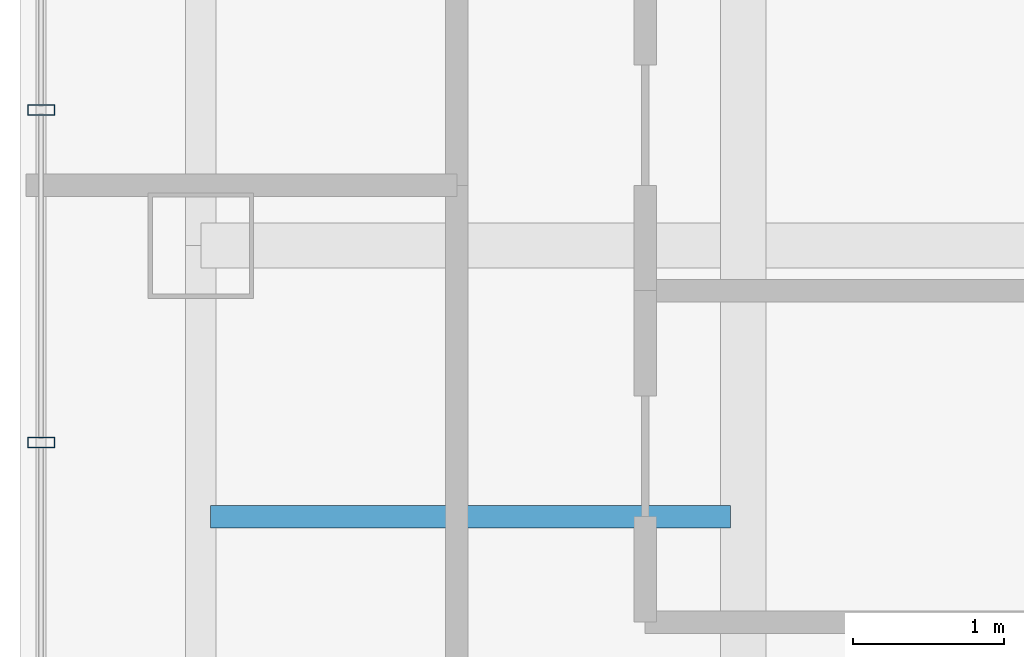
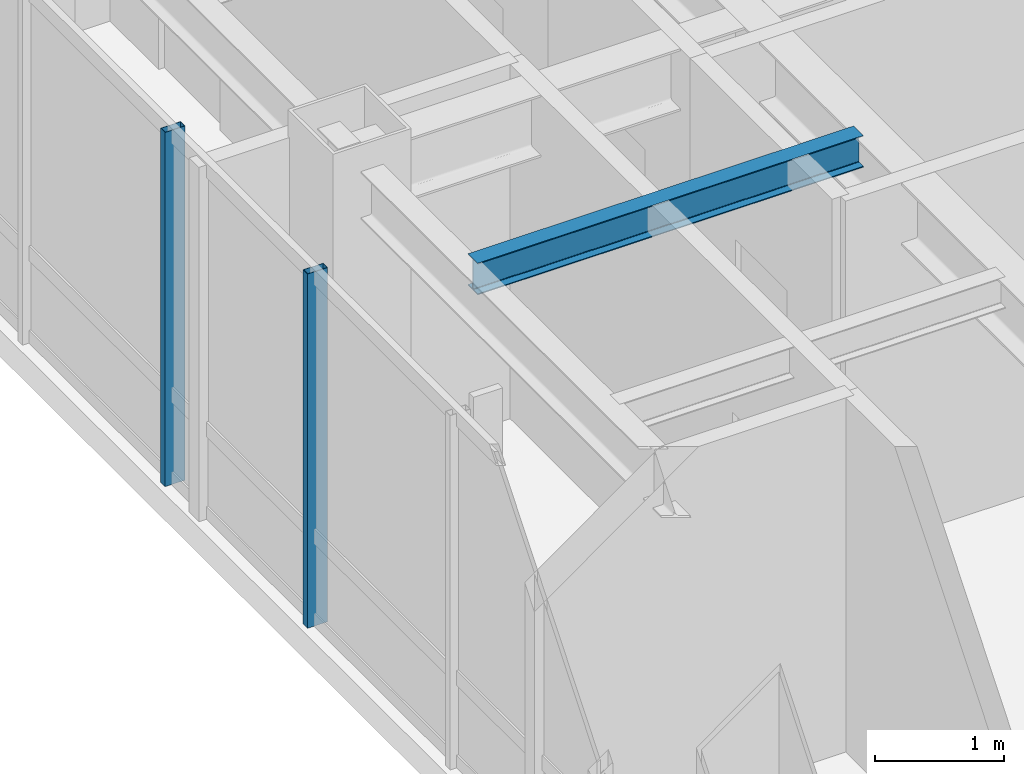
# One storey, part 6 of 26: 2 members, 1 beam, 1 element without a shape of its own.
"""IFC4 building model written with IfcOpenShell, lengths in metres."""

from ifc_helpers import new_model, si_unit, direction, frame, origin, origin_2d, place, context, subcontext, project, spatial, hollow_rectangle, i_section, extrude, material, layer, layer_set, material_profile, profile_set, type_object, element, aggregate, save


model = new_model("IFC4")

# Units and contexts
model_context = context("Model", 3, precision=1e-05, world=origin(), true_north=direction((0.0, 1.0)))
body_context = subcontext(model_context, "Body", "Model", "MODEL_VIEW")
ifc_project = project(units=[si_unit("LENGTHUNIT", "METRE"), si_unit("AREAUNIT", "SQUARE_METRE"), si_unit("VOLUMEUNIT", "CUBIC_METRE"), si_unit("PLANEANGLEUNIT", "RADIAN"), si_unit("MASSUNIT", "GRAM", prefix="KILO")], contexts=[model_context])

# Site, building, storey
site_placement = place(None, origin())
site = spatial("IfcSite", under=ifc_project, at=site_placement, CompositionType="ELEMENT")
building_placement = place(site_placement, origin())
building = spatial("IfcBuilding", under=site, at=building_placement, Name="Hatsunagi Terrace Concourse", CompositionType="ELEMENT")
storey_placement = place(building_placement, frame((0.0, 0.0, 198.75)))
storey = spatial("IfcBuildingStorey", under=building, at=storey_placement, Name="L52", CompositionType="ELEMENT", Elevation=198.75)

# Curtain wall, members
ifc_material_1 = material(Name="Anodised Aluminium Alloy 6063-T5", Category="aluminium")
ifc_layer = layer(ifc_material_1, 0.199951171875)
ifc_layer_set = layer_set([ifc_layer], Name="OfficeZone2_CW04")
curtain_wall_type = type_object("IfcCurtainWallType", Name="OfficeZone2_CW04", PredefinedType="NOTDEFINED", material=ifc_layer_set)
curtain_wall_placement = place(storey_placement, origin())
curtain_wall = element("IfcCurtainWall", 1, at=curtain_wall_placement, inside=storey, type_object=curtain_wall_type, Name="Unitised Curtain Wall CW-04 CW-L52-08", PredefinedType="NOTDEFINED")
ifc_material_2 = material(Name="Anodised Aluminium Alloy 6063-T5", Category="aluminium")
ifc_material_profile_1 = material_profile(ifc_material_2, hollow_rectangle(XDim=0.070068359375, YDim=0.179931640625, WallThickness=0.00390625, at=origin_2d()), Name="ALU-MUL-180x70x4")
ifc_profile_set_1 = profile_set([ifc_material_profile_1], Name="Anodised Aluminium Alloy 6063-T5")
member_type = type_object("IfcMemberType", Name="CurtainWallMullion_180x70", PredefinedType="MULLION", material=ifc_profile_set_1)
member_1_placement = place(storey_placement, frame((18.139892578125, 34.69189453125, 0.0), z_axis=(0.0, 0.0, 1.0), x_axis=(0.0, 1.0, 0.0)))
member_1 = element("IfcMember", 2, at=member_1_placement, type_object=member_type, Name="Curtain Wall Mullion MUL-02", PredefinedType="MULLION", context=body_context, shape_type="SweptSolid", body=[
    extrude(hollow_rectangle(XDim=0.070068359375, YDim=0.179931640625, WallThickness=0.00390625, at=origin_2d()), origin(), (0.0, 0.0, 1.0), 3.35009765625),
])
member_2_placement = place(storey_placement, frame((18.139892578125, 36.89990234375, 0.0), z_axis=(0.0, 0.0, 1.0), x_axis=(0.0, 1.0, 0.0)))
member_2 = element("IfcMember", 3, at=member_2_placement, type_object=member_type, Name="Curtain Wall Mullion MUL-02", PredefinedType="MULLION", context=body_context, shape_type="SweptSolid", body=[
    extrude(hollow_rectangle(XDim=0.070068359375, YDim=0.179931640625, WallThickness=0.00390625, at=origin_2d()), origin(), (0.0, 0.0, 1.0), 3.35009765625),
])
aggregate(curtain_wall, [member_1, member_2])

# Beam
ifc_material_3 = material(Name="Steel SN490B", Category="steel")
ifc_material_profile_2 = material_profile(ifc_material_3, i_section(OverallWidth=0.14990234375, OverallDepth=0.300048828125, WebThickness=0.006591796875, FlangeThickness=0.009033203125, FilletRadius=0.010986328125, at=origin_2d()), Name="H-300x150x6.5x9")
ifc_profile_set_2 = profile_set([ifc_material_profile_2], Name="Steel SN490B")
beam_type = type_object("IfcBeamType", Name="OfficeJoist_H_300x150", PredefinedType="JOIST", material=ifc_profile_set_2)
beam_placement = place(storey_placement, frame((19.264892578125, 34.199951171875, 3.199951171875), z_axis=(1.0, 0.0, 0.0), x_axis=(0.0, 1.0, 0.0)))
element("IfcBeam", 4, at=beam_placement, inside=storey, type_object=beam_type, Name="Beam J-03 J-L52-W-19-342", PredefinedType="JOIST", context=body_context, shape_type="SweptSolid", body=[
    extrude(i_section(OverallWidth=0.14990234375, OverallDepth=0.300048828125, WebThickness=0.006591796875, FlangeThickness=0.009033203125, FilletRadius=0.010986328125, at=origin_2d()), origin(), (0.0, 0.0, 1.0), 3.4501953125),
])

save(model, "model.ifc")
